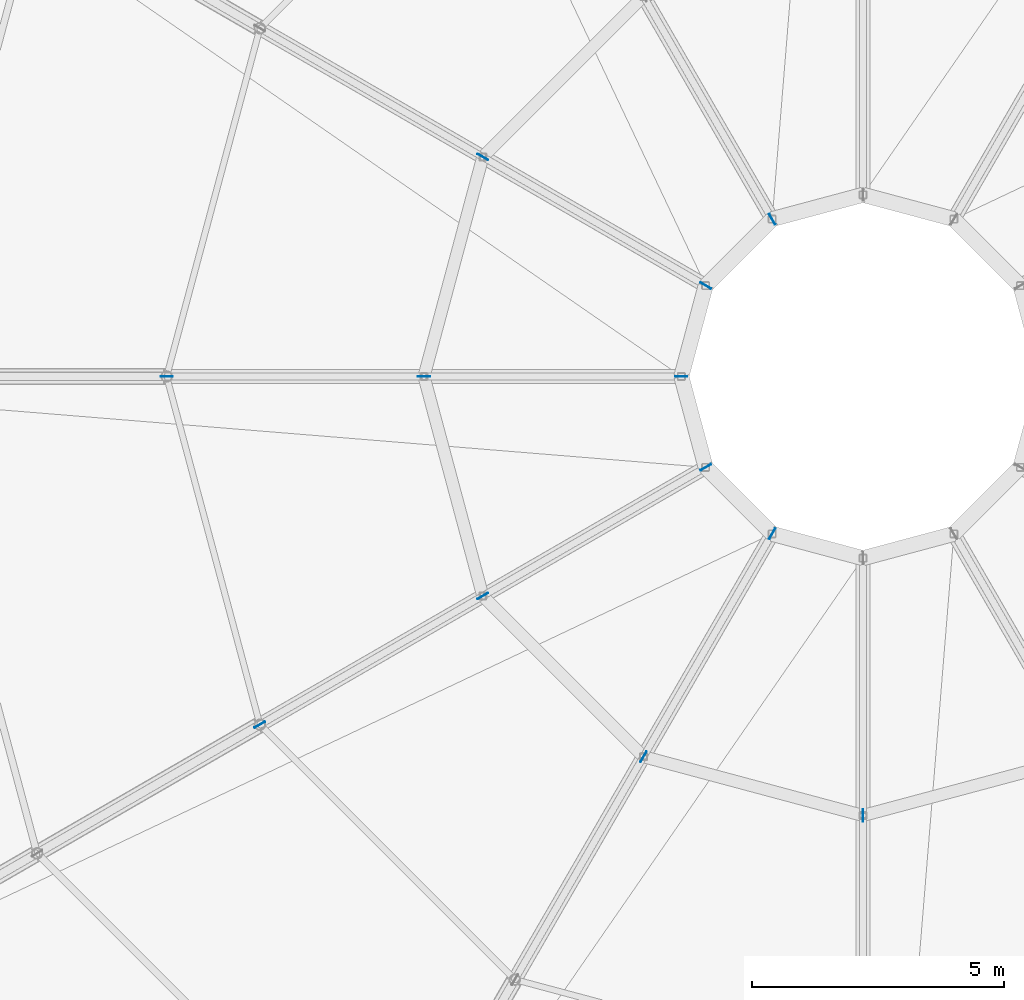
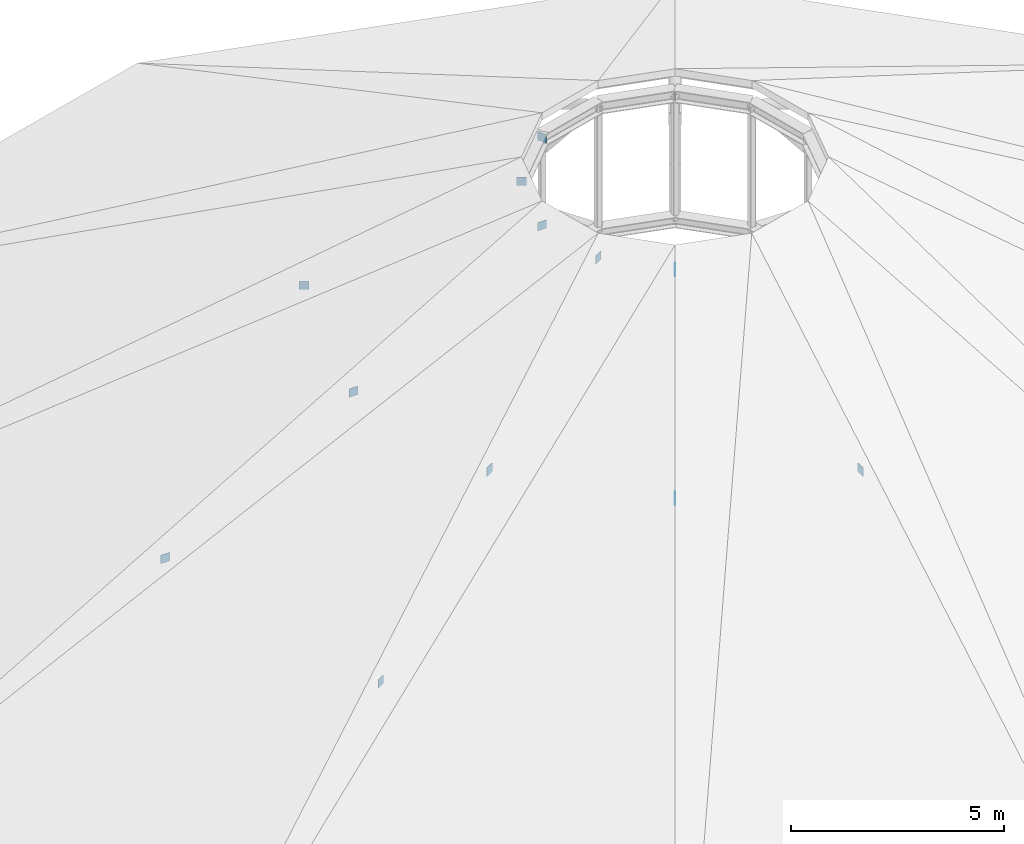
# One storey, part 41 of 58: 12 plates.
"""IFC4 building model written with IfcOpenShell, lengths in metres."""

from ifc_helpers import new_model, si_unit, derived_unit, direction, frame, origin, origin_2d, place, context, subcontext, project, spatial, rectangle, extrude, material, layer, layer_set, type_object, element, save


model = new_model("IFC4")

# Units and contexts
model_context = context("Model", 3, precision=1e-05, world=origin(), true_north=direction((0.0, 1.0)))
body_context = subcontext(model_context, "Body", "Model", "MODEL_VIEW")
ifc_project = project(units=[si_unit("LENGTHUNIT", "METRE"), si_unit("AREAUNIT", "SQUARE_METRE"), si_unit("VOLUMEUNIT", "CUBIC_METRE"), si_unit("PLANEANGLEUNIT", "RADIAN"), si_unit("MASSUNIT", "GRAM", prefix="KILO"), derived_unit("THERMALTRANSMITTANCEUNIT", [(si_unit("POWERUNIT", "WATT"), 1), (si_unit("AREAUNIT", "SQUARE_METRE"), -1), (si_unit("THERMODYNAMICTEMPERATUREUNIT", "KELVIN"), -1)])], contexts=[model_context])

# Site, building, storey
site_placement = place(None, origin())
site = spatial("IfcSite", under=ifc_project, at=site_placement, CompositionType="ELEMENT")
building_placement = place(site_placement, origin())
building = spatial("IfcBuilding", under=site, at=building_placement, Name="Yasenodar Specialist Clinic", CompositionType="ELEMENT")
storey_placement = place(building_placement, frame((0.0, 0.0, 21.300048828125)))
storey = spatial("IfcBuildingStorey", under=building, at=storey_placement, Name="L05", CompositionType="ELEMENT", Elevation=21.300048828125)

# Plates
ifc_material = material(Name="Steel S355", Category="steel")
ifc_layer = layer(ifc_material, 0.01611328125)
ifc_layer_set = layer_set([ifc_layer], Name="Steel S355")
plate_type = type_object("IfcPlateType", Name="PL-STEEL-05", PredefinedType="USERDEFINED", material=ifc_layer_set)
for number, where, z_axis, x_axis, name in (
    (1, (79.199951171875, 61.917724609375, 11.77978515625), (0.0, 0.0, 1.0), (-0.5, 0.866025403784, 0.0), "L05 Hollow Section End-Cap Plate 0067"),
    (2, (73.465576171875, 63.14990234375, 8.80517578125), (0.0, 0.0, 1.0), (-0.866025403784, 0.5, 0.0), "L05 Hollow Section End-Cap Plate 0071"),
    (3, (77.88232421875, 60.60009765625, 11.77978515625), (0.0, 0.0, 1.0), (-0.866025403784, 0.5, 0.0), "L05 Hollow Section End-Cap Plate 0072"),
    (4, (67.199951171875, 58.800048828125, 5.830078125), (0.0, 0.0, 1.0), (-1.0, 0.0, 0.0), "L05 Hollow Section End-Cap Plate 0075"),
    (5, (72.300048828125, 58.800048828125, 8.80517578125), (0.0, 0.0, 1.0), (-1.0, 0.0, 0.0), "L05 Hollow Section End-Cap Plate 0076"),
    (6, (77.39990234375, 58.800048828125, 11.77978515625), (0.0, 0.0, 1.0), (-1.0, 0.0, 0.0), "L05 Hollow Section End-Cap Plate 0077"),
    (7, (69.048828125, 51.89990234375, 5.830078125), (0.0, 0.0, 1.0), (-0.866025403784, -0.5, 0.0), "L05 Hollow Section End-Cap Plate 0080"),
    (8, (73.465576171875, 54.449951171875, 8.80517578125), (0.0, 0.0, 1.0), (-0.866025403784, -0.5, 0.0), "L05 Hollow Section End-Cap Plate 0081"),
    (9, (77.88232421875, 57.0, 11.77978515625), (0.0, 0.0, 1.0), (-0.866025403784, -0.5, 0.0), "L05 Hollow Section End-Cap Plate 0082"),
    (10, (76.64990234375, 51.265625, 8.80517578125), (0.0, 0.0, 1.0), (-0.5, -0.866025403784, 0.0), "L05 Hollow Section End-Cap Plate 0086"),
    (11, (79.199951171875, 55.682373046875, 11.77978515625), (0.0, 0.0, 1.0), (-0.5, -0.866025403784, 0.0), "L05 Hollow Section End-Cap Plate 0087"),
    (12, (81.0, 50.10009765625, 8.80517578125), (0.0, 0.0, 1.0), (0.0, -1.0, 0.0), "L05 Hollow Section End-Cap Plate 0091"),
):
    element("IfcPlate", number, at=place(storey_placement, frame(where, z_axis=z_axis, x_axis=x_axis)), inside=storey, type_object=plate_type, Name=name, ObjectType="CAP_PLATE", PredefinedType="USERDEFINED", context=body_context, shape_type="SweptSolid", body=[
        extrude(rectangle(XDim=0.239990234375, YDim=0.01611328125, at=origin_2d()), origin(), (0.0, 0.0, 1.0), 0.239990234375),
    ])

save(model, "model.ifc")
